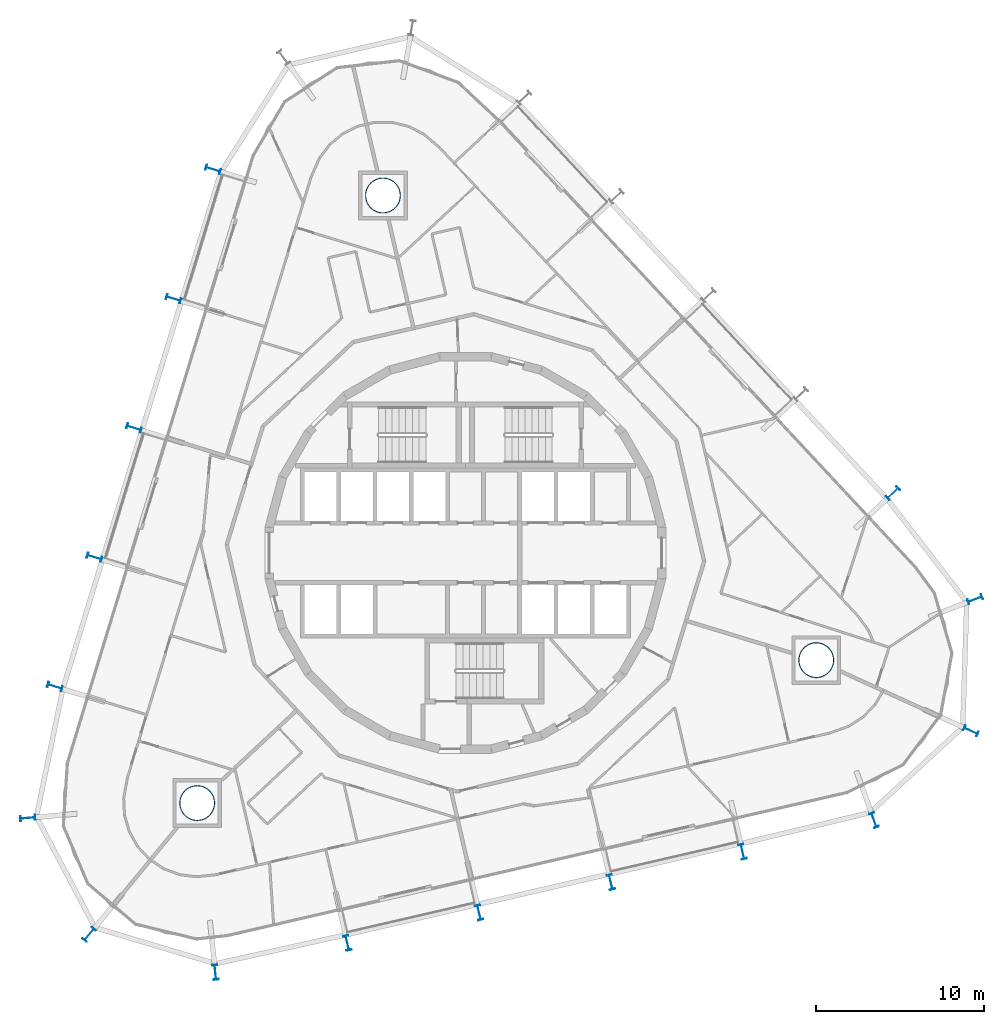
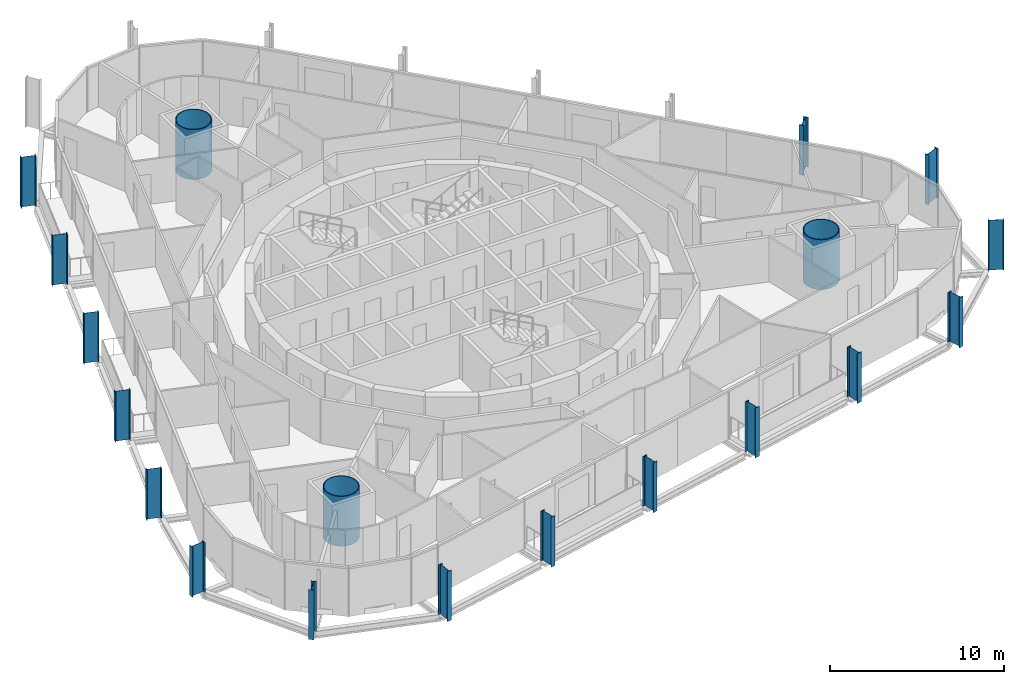
# One storey, part 1 of 18: 19 columns.
"""IFC4 building model written with IfcOpenShell, lengths in metres."""

from ifc_helpers import new_model, si_unit, direction, frame, origin, origin_2d, place, context, subcontext, project, spatial, hollow_circle, i_section, extrude, material, material_profile, profile_set, type_object, element, save


model = new_model("IFC4")

# Units and contexts
model_context = context("Model", 3, precision=1e-05, world=origin(), true_north=direction((0.0, 1.0)))
body_context = subcontext(model_context, "Body", "Model", "MODEL_VIEW")
ifc_project = project(units=[si_unit("LENGTHUNIT", "METRE"), si_unit("AREAUNIT", "SQUARE_METRE"), si_unit("VOLUMEUNIT", "CUBIC_METRE"), si_unit("PLANEANGLEUNIT", "RADIAN"), si_unit("MASSUNIT", "GRAM", prefix="KILO")], contexts=[model_context])

# Site, building, storey
site_placement = place(None, origin())
site = spatial("IfcSite", under=ifc_project, at=site_placement, CompositionType="ELEMENT")
building_placement = place(site_placement, origin())
building = spatial("IfcBuilding", under=site, at=building_placement, Name="Spindle Arch Residences", CompositionType="ELEMENT")
storey_placement = place(building_placement, frame((0.0, 0.0, 120.39990234375)))
storey = spatial("IfcBuildingStorey", under=building, at=storey_placement, Name="L29", CompositionType="ELEMENT", Elevation=120.39990234375)

# Columns
ifc_material_1 = material(Name="Steel S460ML, intumescent coating R 240", Category="steel")
ifc_material_profile_1 = material_profile(ifc_material_1, i_section(OverallWidth=0.300048828125, OverallDepth=0.89990234375, WebThickness=0.0185546875, FlangeThickness=0.034912109375, FilletRadius=0.030029296875, at=origin_2d()), Name="HEB 900")
ifc_profile_set_1 = profile_set([ifc_material_profile_1], Name="Steel S460ML, intumescent coating R 240")
column_type_1 = type_object("IfcColumnType", Name="Exoskeleton post HEB 900", PredefinedType="COLUMN", material=ifc_profile_set_1)
for number, where, z_axis, x_axis, name in (
    (1, (8.633544921875, -19.5498046875, -0.3798828125), (0.0, 0.0, 1.0), (-0.974370073419, -0.224951016948, 0.0), "Exoskeleton post 1"),
    (2, (16.45703125, -17.74365234375, -0.3798828125), (0.0, 0.0, 1.0), (-0.974370073419, -0.224951016948, 0.0), "Exoskeleton post 2"),
    (3, (24.26123046875, -15.86767578125, -0.3798828125), (0.0, 0.0, 1.0), (-0.940523325903, -0.339729117728, 0.0), "Exoskeleton post 3"),
    (4, (30.013916015625, -10.5712890625, -0.3798828125), (0.0, 0.0, 1.0), (-0.416143895931, -0.909298772615, 0.0), "Exoskeleton post 4"),
    (5, (30.261962890625, -2.756103515625, -0.3798828125), (0.0, 0.0, 1.0), (0.357664986637, -0.933849965109, 0.0), "Exoskeleton post 5"),
    (6, (25.390869140625, 3.550048828125, -0.3798828125), (0.0, 0.0, 1.0), (0.68199801865, -0.731354019992, 0.0), "Exoskeleton post 6"),
    (7, (-14.9873046875, 22.7734375, -0.3798828125), (0.0, 0.0, 1.0), (0.29237190653, 0.956304694264, 0.0), "Exoskeleton post 13"),
    (8, (-17.3349609375, 15.09521484375, -0.3798828125), (0.0, 0.0, 1.0), (0.29237190653, 0.956304694264, 0.0), "Exoskeleton post 14"),
    (9, (-19.682373046875, 7.4169921875, -0.3798828125), (0.0, 0.0, 1.0), (0.29237190653, 0.956304694264, 0.0), "Exoskeleton post 15"),
    (10, (-22.02978515625, -0.261474609375, -0.3798828125), (0.0, 0.0, 1.0), (0.29237190653, 0.956304694264, 0.0), "Exoskeleton post 16"),
    (11, (-24.37744140625, -7.939697265625, -0.3798828125), (0.0, 0.0, 1.0), (0.29237190653, 0.956304694264, 0.0), "Exoskeleton post 17"),
    (12, (-25.9912109375, -15.742919921875, -0.3798828125), (0.0, 0.0, 1.0), (-0.087904987966, 0.996128863697, 0.0), "Exoskeleton post 18"),
    (13, (-22.34228515625, -22.65869140625, -0.3798828125), (0.0, 0.0, 1.0), (-0.772637925649, 0.634846938915, 0.0), "Exoskeleton post 19"),
    (14, (-14.85009765625, -24.897216796875, -0.3798828125), (0.0, 0.0, 1.0), (-0.994264182944, -0.106952019682, 0.0), "Exoskeleton post 20"),
    (15, (-7.01318359375, -23.162109375, -0.3798828125), (0.0, 0.0, 1.0), (-0.974370073419, -0.224951016948, 0.0), "Exoskeleton post 21"),
    (16, (0.810302734375, -21.35595703125, -0.3798828125), (0.0, 0.0, 1.0), (-0.974370073419, -0.224951016948, 0.0), "Exoskeleton post 22"),
):
    element("IfcColumn", number, at=place(storey_placement, frame(where, z_axis=z_axis, x_axis=x_axis)), inside=storey, type_object=column_type_1, Name=name, PredefinedType="COLUMN", context=body_context, shape_type="SweptSolid", body=[
        extrude(i_section(OverallWidth=0.300048828125, OverallDepth=0.89990234375, WebThickness=0.0185546875, FlangeThickness=0.034912109375, FilletRadius=0.030029296875, at=origin_2d()), origin(), (0.0, 0.0, 1.0), 3.5),
    ])
ifc_material_2 = material(Name="Concrete C50/60 filled steel tube S460ML, intumescent coating R 240", Category="concrete")
ifc_material_profile_2 = material_profile(ifc_material_2, hollow_circle(Radius=1.050048828125, WallThickness=0.050048828125, at=origin_2d()), Name="CFT D2100x50")
ifc_profile_set_2 = profile_set([ifc_material_profile_2], Name="Concrete C50/60 filled steel tube S460ML, intumescent coating R 240")
column_type_2 = type_object("IfcColumnType", Name="Mega-column CFT D2100x50", PredefinedType="COLUMN", material=ifc_profile_set_2)
for number, where, z_axis, x_axis, name in (
    (17, (20.830078125, -6.368408203125, -0.3798828125), (0.0, 0.0, 1.0), (1.0, 0.0, 0.0), "Mega-column 1"),
    (18, (-4.89990234375, 21.223388671875, -0.3798828125), (0.0, 0.0, 1.0), (1.0, 0.0, 0.0), "Mega-column 2"),
    (19, (-15.93017578125, -14.855224609375, -0.3798828125), (0.0, 0.0, 1.0), (1.0, 0.0, 0.0), "Mega-column 3"),
):
    element("IfcColumn", number, at=place(storey_placement, frame(where, z_axis=z_axis, x_axis=x_axis)), inside=storey, type_object=column_type_2, Name=name, PredefinedType="COLUMN", context=body_context, shape_type="SweptSolid", body=[
        extrude(hollow_circle(Radius=1.050048828125, WallThickness=0.050048828125, at=origin_2d()), origin(), (0.0, 0.0, 1.0), 3.5),
    ])

save(model, "model.ifc")
